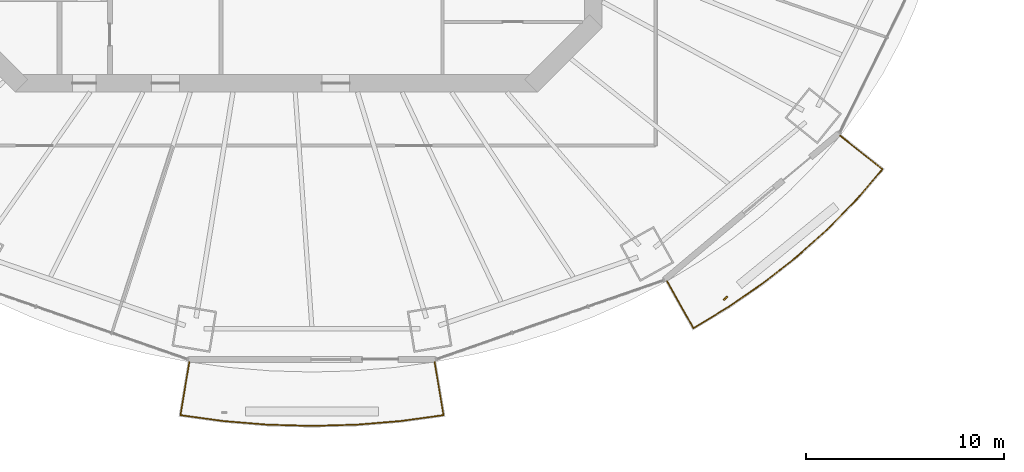
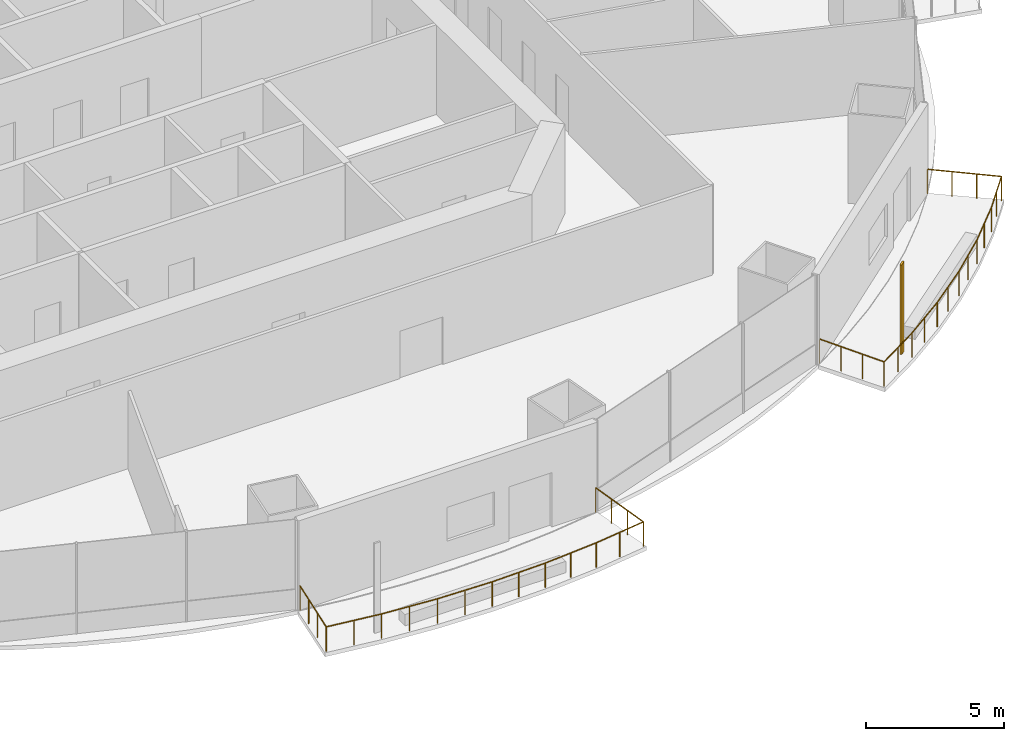
# One storey, part 16 of 20: 2 railings, 1 shading device.
"""IFC4 building model written with IfcOpenShell, lengths in metres."""

from ifc_helpers import new_model, si_unit, direction, frame, origin, origin_2d, place, context, subcontext, project, spatial, rectangle, circle, extrude, material, material_profile, profile_set, type_object, element, save


model = new_model("IFC4")

# Units and contexts
model_context = context("Model", 3, precision=1e-05, world=origin(), true_north=direction((0.0, 1.0)))
body_context = subcontext(model_context, "Body", "Model", "MODEL_VIEW")
ifc_project = project(units=[si_unit("LENGTHUNIT", "METRE"), si_unit("AREAUNIT", "SQUARE_METRE"), si_unit("VOLUMEUNIT", "CUBIC_METRE"), si_unit("PLANEANGLEUNIT", "RADIAN"), si_unit("MASSUNIT", "GRAM", prefix="KILO")], contexts=[model_context])

# Site, building, storey
site_placement = place(None, origin())
site = spatial("IfcSite", under=ifc_project, at=site_placement, CompositionType="ELEMENT")
building_placement = place(site_placement, origin())
building = spatial("IfcBuilding", under=site, at=building_placement, Name="Marenthal Gate Tower", CompositionType="ELEMENT")
storey_placement = place(building_placement, frame((0.0, 0.0, 185.949951171875)))
storey = spatial("IfcBuildingStorey", under=building, at=storey_placement, Name="L40", CompositionType="ELEMENT", Elevation=185.949951171875)

# Railings
ifc_material_1 = material(Name="Stainless steel", Category="steel")
railing_type = type_object("IfcRailingType", Name="Balcony guard 1100", PredefinedType="GUARDRAIL", material=ifc_material_1)
railing_1_placement = place(storey_placement, frame((7.990234375, -27.07568359375, 0.0)))
element("IfcRailing", 1, at=railing_1_placement, inside=storey, type_object=railing_type, Name="Balcony guard L40 bay 12", PredefinedType="GUARDRAIL", context=body_context, shape_type="SweptSolid", body=[
    extrude(circle(Radius=0.02392578125, at=origin_2d()), frame((0.0, 0.0, 1.076171875), z_axis=(0.16486141703, -0.98620691984, -0.01471816679), x_axis=(0.986313755456, 0.164879276438, 0.0)), (0.0, 0.0, 1.0), 2.720458984375),
    extrude(circle(Radius=0.02392578125, at=origin_2d()), frame((0.448486328125, -2.682861328125, 1.0361328125), z_axis=(-0.990664759644, -0.136320702755, 0.0), x_axis=(0.136320702755, -0.990664759644, 0.0)), (0.0, 0.0, 1.0), 2.165283203125),
    extrude(circle(Radius=0.02392578125, at=origin_2d()), frame((-1.696533203125, -2.97802734375, 1.0361328125), z_axis=(-0.996603137393, -0.082354031713, 0.0), x_axis=(0.082354031713, -0.996603137393, 0.0)), (0.0, 0.0, 1.0), 2.25),
    extrude(circle(Radius=0.02392578125, at=origin_2d()), frame((-3.93896484375, -3.163330078125, 1.0361328125), z_axis=(-0.999620829683, -0.027535374768, 0.0), x_axis=(0.027535374768, -0.999620829683, 0.0)), (0.0, 0.0, 1.0), 2.251953125),
    extrude(circle(Radius=0.02392578125, at=origin_2d()), frame((-6.190185546875, -3.225341796875, 1.0361328125), z_axis=(-0.999620829683, 0.027535374768, 0.0), x_axis=(-0.027535374768, -0.999620829683, 0.0)), (0.0, 0.0, 1.0), 2.251953125),
    extrude(circle(Radius=0.02392578125, at=origin_2d()), frame((-8.44140625, -3.163330078125, 1.0361328125), z_axis=(-0.996603137393, 0.082354031713, 0.0), x_axis=(-0.082354031713, -0.996603137393, 0.0)), (0.0, 0.0, 1.0), 2.25),
    extrude(circle(Radius=0.02392578125, at=origin_2d()), frame((-10.683837890625, -2.97802734375, 1.0361328125), z_axis=(-0.990664759644, 0.136320702755, 0.0), x_axis=(-0.136320702755, -0.990664759644, 0.0)), (0.0, 0.0, 1.0), 2.165283203125),
    extrude(circle(Radius=0.02392578125, at=origin_2d()), frame((-12.828857421875, -2.682861328125, 1.0361328125), z_axis=(0.164774109377, 0.986221507592, 0.014718384498), x_axis=(-0.986328347949, 0.164791959854, 0.0)), (0.0, 0.0, 1.0), 2.720458984375),
    extrude(circle(Radius=0.02099609375, at=origin_2d()), origin(), (0.0, 0.0, 1.0), 1.052001953125),
    extrude(circle(Radius=0.02099609375, at=origin_2d()), frame((0.1494140625, -0.894287109375, -0.013427734375)), (0.0, 0.0, 1.0), 1.052001953125),
    extrude(circle(Radius=0.02099609375, at=origin_2d()), frame((0.299072265625, -1.78857421875, -0.026611328125)), (0.0, 0.0, 1.0), 1.052001953125),
    extrude(circle(Radius=0.02099609375, at=origin_2d()), frame((0.448486328125, -2.682861328125, -0.0400390625)), (0.0, 0.0, 1.0), 1.052001953125),
    extrude(circle(Radius=0.02099609375, at=origin_2d()), frame((-0.6240234375, -2.83056640625, -0.0400390625)), (0.0, 0.0, 1.0), 1.052001953125),
    extrude(circle(Radius=0.02099609375, at=origin_2d()), frame((-1.696533203125, -2.97802734375, -0.0400390625)), (0.0, 0.0, 1.0), 1.052001953125),
    extrude(circle(Radius=0.02099609375, at=origin_2d()), frame((-2.81787109375, -3.07080078125, -0.0400390625)), (0.0, 0.0, 1.0), 1.052001953125),
    extrude(circle(Radius=0.02099609375, at=origin_2d()), frame((-3.93896484375, -3.163330078125, -0.0400390625)), (0.0, 0.0, 1.0), 1.052001953125),
    extrude(circle(Radius=0.02099609375, at=origin_2d()), frame((-5.064453125, -3.1943359375, -0.0400390625)), (0.0, 0.0, 1.0), 1.052001953125),
    extrude(circle(Radius=0.02099609375, at=origin_2d()), frame((-6.190185546875, -3.225341796875, -0.0400390625)), (0.0, 0.0, 1.0), 1.052001953125),
    extrude(circle(Radius=0.02099609375, at=origin_2d()), frame((-7.31591796875, -3.1943359375, -0.0400390625)), (0.0, 0.0, 1.0), 1.052001953125),
    extrude(circle(Radius=0.02099609375, at=origin_2d()), frame((-8.44140625, -3.163330078125, -0.0400390625)), (0.0, 0.0, 1.0), 1.052001953125),
    extrude(circle(Radius=0.02099609375, at=origin_2d()), frame((-9.5625, -3.07080078125, -0.0400390625)), (0.0, 0.0, 1.0), 1.052001953125),
    extrude(circle(Radius=0.02099609375, at=origin_2d()), frame((-10.683837890625, -2.97802734375, -0.0400390625)), (0.0, 0.0, 1.0), 1.052001953125),
    extrude(circle(Radius=0.02099609375, at=origin_2d()), frame((-11.75634765625, -2.83056640625, -0.0400390625)), (0.0, 0.0, 1.0), 1.052001953125),
    extrude(circle(Radius=0.02099609375, at=origin_2d()), frame((-12.828857421875, -2.682861328125, -0.0400390625)), (0.0, 0.0, 1.0), 1.052001953125),
    extrude(circle(Radius=0.02099609375, at=origin_2d()), frame((-12.679443359375, -1.78857421875, -0.026611328125)), (0.0, 0.0, 1.0), 1.052001953125),
    extrude(circle(Radius=0.02099609375, at=origin_2d()), frame((-12.530029296875, -0.894287109375, -0.013427734375)), (0.0, 0.0, 1.0), 1.052001953125),
    extrude(circle(Radius=0.02099609375, at=origin_2d()), frame((-12.380615234375, 0.0, 0.0)), (0.0, 0.0, 1.0), 1.052001953125),
])
railing_2_placement = place(storey_placement, frame((28.469482421875, -15.65234375, 0.0)))
element("IfcRailing", 2, at=railing_2_placement, inside=storey, type_object=railing_type, Name="Balcony guard L40 bay 14", PredefinedType="GUARDRAIL", context=body_context, shape_type="SweptSolid", body=[
    extrude(circle(Radius=0.02392578125, at=origin_2d()), frame((0.0, 0.0, 1.076171875), z_axis=(0.782654389214, -0.622282483065, -0.01471795893), x_axis=(0.622349892908, 0.782739171626, 0.0)), (0.0, 0.0, 1.0), 2.720458984375),
    extrude(circle(Radius=0.02392578125, at=origin_2d()), frame((2.129150390625, -1.69287109375, 1.0361328125), z_axis=(-0.650216061313, -0.7597493492, 0.0), x_axis=(0.7597493492, -0.650216061313, 0.0)), (0.0, 0.0, 1.0), 1.99267578125),
    extrude(circle(Radius=0.02392578125, at=origin_2d()), frame((0.83349609375, -3.206787109375, 1.0361328125), z_axis=(-0.698941095917, -0.715179239379, 0.0), x_axis=(0.715179239379, -0.698941095917, 0.0)), (0.0, 0.0, 1.0), 2.08984375),
    extrude(circle(Radius=0.02392578125, at=origin_2d()), frame((-0.627197265625, -4.701416015625, 1.0361328125), z_axis=(-0.744571425907, -0.667542801416, 0.0), x_axis=(0.667542801416, -0.744571425907, 0.0)), (0.0, 0.0, 1.0), 2.107666015625),
    extrude(circle(Radius=0.02392578125, at=origin_2d()), frame((-2.196533203125, -6.1083984375, 1.0361328125), z_axis=(-0.786051281146, -0.61816129239, 0.0), x_axis=(0.61816129239, -0.786051281146, 0.0)), (0.0, 0.0, 1.0), 2.1259765625),
    extrude(circle(Radius=0.02392578125, at=origin_2d()), frame((-3.86767578125, -7.422607421875, 1.0361328125), z_axis=(-0.823420107604, -0.567432221849, 0.0), x_axis=(0.567432221849, -0.823420107604, 0.0)), (0.0, 0.0, 1.0), 2.14404296875),
    extrude(circle(Radius=0.02392578125, at=origin_2d()), frame((-5.633056640625, -8.63916015625, 1.0361328125), z_axis=(-0.856237767515, -0.516581925236, 0.0), x_axis=(0.516581925236, -0.856237767515, 0.0)), (0.0, 0.0, 1.0), 2.080810546875),
    extrude(circle(Radius=0.02392578125, at=origin_2d()), frame((-7.414794921875, -9.714111328125, 1.0361328125), z_axis=(-0.489585880475, 0.871830841967, 0.014718988891), x_axis=(-0.871925297796, -0.48963892315, 0.0)), (0.0, 0.0, 1.0), 2.72021484375),
    extrude(circle(Radius=0.02099609375, at=origin_2d()), origin(), (0.0, 0.0, 1.0), 1.052001953125),
    extrude(circle(Radius=0.02099609375, at=origin_2d()), frame((0.709716796875, -0.564208984375, -0.013427734375)), (0.0, 0.0, 1.0), 1.052001953125),
    extrude(circle(Radius=0.02099609375, at=origin_2d()), frame((1.41943359375, -1.128662109375, -0.026611328125)), (0.0, 0.0, 1.0), 1.052001953125),
    extrude(circle(Radius=0.02099609375, at=origin_2d()), frame((2.129150390625, -1.69287109375, -0.0400390625)), (0.0, 0.0, 1.0), 1.052001953125),
    extrude(circle(Radius=0.02099609375, at=origin_2d()), frame((1.4814453125, -2.44970703125, -0.0400390625)), (0.0, 0.0, 1.0), 1.052001953125),
    extrude(circle(Radius=0.02099609375, at=origin_2d()), frame((0.83349609375, -3.206787109375, -0.0400390625)), (0.0, 0.0, 1.0), 1.052001953125),
    extrude(circle(Radius=0.02099609375, at=origin_2d()), frame((0.10302734375, -3.9541015625, -0.0400390625)), (0.0, 0.0, 1.0), 1.052001953125),
    extrude(circle(Radius=0.02099609375, at=origin_2d()), frame((-0.627197265625, -4.701416015625, -0.0400390625)), (0.0, 0.0, 1.0), 1.052001953125),
    extrude(circle(Radius=0.02099609375, at=origin_2d()), frame((-1.411865234375, -5.40478515625, -0.0400390625)), (0.0, 0.0, 1.0), 1.052001953125),
    extrude(circle(Radius=0.02099609375, at=origin_2d()), frame((-2.196533203125, -6.1083984375, -0.0400390625)), (0.0, 0.0, 1.0), 1.052001953125),
    extrude(circle(Radius=0.02099609375, at=origin_2d()), frame((-3.0322265625, -6.765625, -0.0400390625)), (0.0, 0.0, 1.0), 1.052001953125),
    extrude(circle(Radius=0.02099609375, at=origin_2d()), frame((-3.86767578125, -7.422607421875, -0.0400390625)), (0.0, 0.0, 1.0), 1.052001953125),
    extrude(circle(Radius=0.02099609375, at=origin_2d()), frame((-4.75048828125, -8.03076171875, -0.0400390625)), (0.0, 0.0, 1.0), 1.052001953125),
    extrude(circle(Radius=0.02099609375, at=origin_2d()), frame((-5.633056640625, -8.63916015625, -0.0400390625)), (0.0, 0.0, 1.0), 1.052001953125),
    extrude(circle(Radius=0.02099609375, at=origin_2d()), frame((-6.52392578125, -9.1767578125, -0.0400390625)), (0.0, 0.0, 1.0), 1.052001953125),
    extrude(circle(Radius=0.02099609375, at=origin_2d()), frame((-7.414794921875, -9.714111328125, -0.0400390625)), (0.0, 0.0, 1.0), 1.052001953125),
    extrude(circle(Radius=0.02099609375, at=origin_2d()), frame((-7.858642578125, -8.923583984375, -0.026611328125)), (0.0, 0.0, 1.0), 1.052001953125),
    extrude(circle(Radius=0.02099609375, at=origin_2d()), frame((-8.302734375, -8.133056640625, -0.013427734375)), (0.0, 0.0, 1.0), 1.052001953125),
    extrude(circle(Radius=0.02099609375, at=origin_2d()), frame((-8.74658203125, -7.342529296875, 0.0)), (0.0, 0.0, 1.0), 1.052001953125),
])

# Shading device
ifc_material_2 = material(Name="Terracotta", Category="masonry")
ifc_material_profile = material_profile(ifc_material_2, rectangle(XDim=0.25, YDim=0.080078125, at=origin_2d()), Name="Terracotta baguette 250x80")
ifc_profile_set = profile_set([ifc_material_profile], Name="Terracotta")
shading_device_type = type_object("IfcShadingDeviceType", Name="Terracotta BAGUETTE SCREEN 250x80", PredefinedType="USERDEFINED", material=ifc_profile_set)
shading_device_placement = place(storey_placement, frame((22.675537109375, -23.85498046875, -0.0400390625), z_axis=(0.0, 0.0, 1.0), x_axis=(0.765779593212, 0.64310311352, 0.0)))
element("IfcShadingDevice", 3, at=shading_device_placement, inside=storey, type_object=shading_device_type, Name="Terracotta BAGUETTE L40 bay 14L", ObjectType="BAGUETTE SCREEN", PredefinedType="USERDEFINED", context=body_context, shape_type="SweptSolid", body=[
    extrude(rectangle(XDim=0.25, YDim=0.080078125, at=origin_2d()), origin(), (0.0, 0.0, 1.0), 3.969970703125),
])

save(model, "model.ifc")
